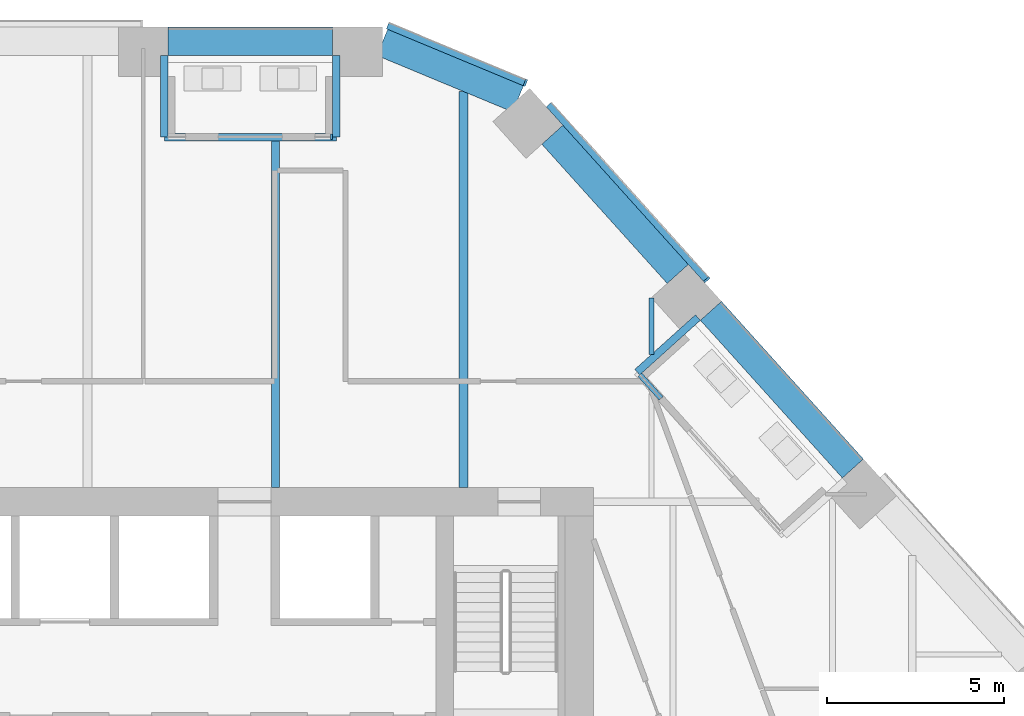
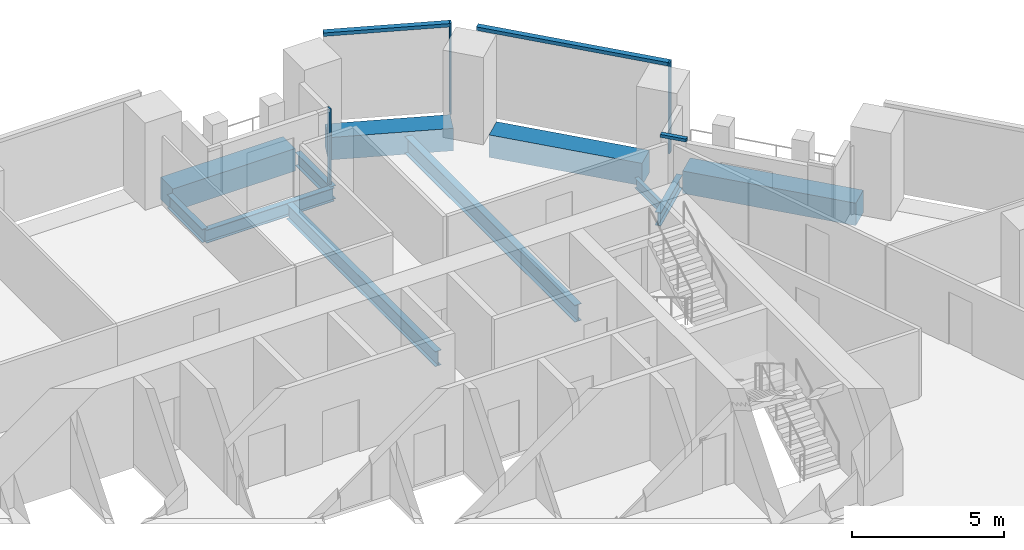
# One storey, part 10 of 24: 11 beams, 6 members, 4 elements without a shape of their own.
"""IFC4 building model written with IfcOpenShell, lengths in metres."""

from ifc_helpers import new_model, si_unit, direction, frame, origin, origin_2d, place, context, subcontext, project, spatial, rectangle, i_section, extrude, material, layer, layer_set, material_profile, profile_set, type_object, element, aggregate, save


model = new_model("IFC4")

# Units and contexts
model_context = context("Model", 3, precision=1e-05, world=origin(), true_north=direction((0.0, 1.0)))
body_context = subcontext(model_context, "Body", "Model", "MODEL_VIEW")
ifc_project = project(units=[si_unit("LENGTHUNIT", "METRE"), si_unit("AREAUNIT", "SQUARE_METRE"), si_unit("VOLUMEUNIT", "CUBIC_METRE"), si_unit("PLANEANGLEUNIT", "RADIAN"), si_unit("MASSUNIT", "GRAM", prefix="KILO")], contexts=[model_context])

# Site, building, storey
site_placement = place(None, origin())
site = spatial("IfcSite", under=ifc_project, at=site_placement, CompositionType="ELEMENT")
building_placement = place(site_placement, origin())
building = spatial("IfcBuilding", under=site, at=building_placement, Name="Isthmus Gate Tower", CompositionType="ELEMENT")
storey_placement = place(building_placement, frame((0.0, 0.0, 159.0)))
storey = spatial("IfcBuildingStorey", under=building, at=storey_placement, Name="L39", CompositionType="ELEMENT", Elevation=159.0)

# Curtain wall, member
ifc_material_1 = material(Name="Aluminium, pale champagne anodised", Category="aluminium")
ifc_layer_1 = layer(ifc_material_1, 0.199951171875)
ifc_layer_set_1 = layer_set([ifc_layer_1], Name="CW-1 UNITISED CURTAIN WALL 200 DEEP")
curtain_wall_type_1 = type_object("IfcCurtainWallType", Name="CW-1 UNITISED CURTAIN WALL 200 DEEP", PredefinedType="NOTDEFINED", material=ifc_layer_set_1)
curtain_wall_1_placement = place(storey_placement, origin())
curtain_wall_1 = element("IfcCurtainWall", 1, at=curtain_wall_1_placement, inside=storey, type_object=curtain_wall_type_1, Name="CW-1 NE L39", PredefinedType="NOTDEFINED")
ifc_material_2 = material(Name="Aluminium, pale champagne anodised", Category="aluminium")
ifc_material_profile_1 = material_profile(ifc_material_2, rectangle(XDim=0.06005859375, YDim=0.199951171875, at=origin_2d()), Name="60x200")
ifc_profile_set_1 = profile_set([ifc_material_profile_1], Name="Aluminium, pale champagne anodised")
member_type_1 = type_object("IfcMemberType", Name="CW-1 MULLION 60 X 200", PredefinedType="MULLION", material=ifc_profile_set_1)
member_1_placement = place(storey_placement, frame((18.201416015625, 20.865478515625, 0.0), z_axis=(0.0, 0.0, 1.0), x_axis=(-0.669130606359, 0.743144825477, 0.0)))
member_1 = element("IfcMember", 2, at=member_1_placement, type_object=member_type_1, Name="CW-1 mullion", PredefinedType="MULLION", context=body_context, shape_type="SweptSolid", body=[
    extrude(rectangle(XDim=0.06005859375, YDim=0.199951171875, at=origin_2d()), origin(), (0.0, 0.0, 1.0), 3.64990234375),
])

curtain_wall_2_placement = place(storey_placement, origin())
curtain_wall_2 = element("IfcCurtainWall", 3, at=curtain_wall_2_placement, inside=storey, type_object=curtain_wall_type_1, Name="CW-1 NE-N L39", PredefinedType="NOTDEFINED")
member_2_placement = place(storey_placement, frame((13.080810546875, 26.427490234375, 0.0), z_axis=(0.0, 0.0, 1.0), x_axis=(-0.923353128387, 0.383951820282, 0.0)))
member_2 = element("IfcMember", 4, at=member_2_placement, type_object=member_type_1, Name="CW-1 mullion", PredefinedType="MULLION", context=body_context, shape_type="SweptSolid", body=[
    extrude(rectangle(XDim=0.06005859375, YDim=0.199951171875, at=origin_2d()), origin(), (0.0, 0.0, 1.0), 3.64990234375),
])

# Member
ifc_material_3 = material(Name="Aluminium, pale champagne anodised", Category="aluminium")
ifc_material_profile_2 = material_profile(ifc_material_3, rectangle(XDim=0.199951171875, YDim=0.139892578125, at=origin_2d()), Name="200x140")
ifc_profile_set_2 = profile_set([ifc_material_profile_2], Name="Aluminium, pale champagne anodised")
member_type_2 = type_object("IfcMemberType", Name="CW-1 TRANSOM 200 X 140", PredefinedType="USERDEFINED", material=ifc_profile_set_2)
member_3_placement = place(storey_placement, frame((18.181396484375, 20.887939453125, 3.580078125), z_axis=(-0.66913355839, 0.743142167446, 0.0), x_axis=(-0.743142167446, -0.66913355839, 0.0)))
member_3 = element("IfcMember", 5, at=member_3_placement, type_object=member_type_2, Name="CW-1 transom", ObjectType="TRANSOM", PredefinedType="USERDEFINED", context=body_context, shape_type="SweptSolid", body=[
    extrude(rectangle(XDim=0.199951171875, YDim=0.139892578125, at=origin_2d()), origin(), (0.0, 0.0, 1.0), 6.630615234375),
])

aggregate(curtain_wall_1, [member_1, member_3])

member_4_placement = place(storey_placement, frame((13.05322265625, 26.43896484375, 3.580078125), z_axis=(-0.923358236369, 0.383939536033, 0.0), x_axis=(-0.383939536033, -0.923358236369, 0.0)))
member_4 = element("IfcMember", 6, at=member_4_placement, type_object=member_type_2, Name="CW-1 transom", ObjectType="TRANSOM", PredefinedType="USERDEFINED", context=body_context, shape_type="SweptSolid", body=[
    extrude(rectangle(XDim=0.199951171875, YDim=0.139892578125, at=origin_2d()), origin(), (0.0, 0.0, 1.0), 4.181640625),
])

aggregate(curtain_wall_2, [member_2, member_4])

# Curtain wall, member
ifc_material_4 = material(Name="Aluminium, pale champagne anodised", Category="aluminium")
ifc_layer_2 = layer(ifc_material_4, 0.14990234375)
ifc_layer_set_2 = layer_set([ifc_layer_2], Name="CW-6 LOGGIA BACK WALL GLAZING 150 DEEP")
curtain_wall_type_2 = type_object("IfcCurtainWallType", Name="CW-6 LOGGIA BACK WALL GLAZING 150 DEEP", PredefinedType="NOTDEFINED", material=ifc_layer_set_2)
curtain_wall_3_placement = place(storey_placement, origin())
curtain_wall_3 = element("IfcCurtainWall", 7, at=curtain_wall_3_placement, inside=storey, type_object=curtain_wall_type_2, Name="CW-6 N L39", PredefinedType="NOTDEFINED")
ifc_material_5 = material(Name="Aluminium, pale champagne anodised", Category="aluminium")
ifc_material_profile_3 = material_profile(ifc_material_5, rectangle(XDim=0.06005859375, YDim=0.14990234375, at=origin_2d()), Name="60x150")
ifc_profile_set_3 = profile_set([ifc_material_profile_3], Name="Aluminium, pale champagne anodised")
member_type_3 = type_object("IfcMemberType", Name="CW-6 MULLION 60 X 150", PredefinedType="MULLION", material=ifc_profile_set_3)
member_5_placement = place(storey_placement, frame((7.608642578125, 24.89990234375, 0.0), z_axis=(0.0, 0.0, 1.0), x_axis=(-1.0, 0.0, 0.0)))
member_5 = element("IfcMember", 8, at=member_5_placement, type_object=member_type_3, Name="CW-6 mullion", PredefinedType="MULLION", context=body_context, shape_type="SweptSolid", body=[
    extrude(rectangle(XDim=0.06005859375, YDim=0.14990234375, at=origin_2d()), origin(), (0.0, 0.0, 1.0), 3.050048828125),
])
aggregate(curtain_wall_3, [member_5])

curtain_wall_4_placement = place(storey_placement, origin())
curtain_wall_4 = element("IfcCurtainWall", 9, at=curtain_wall_4_placement, inside=storey, type_object=curtain_wall_type_2, Name="CW-6 NE L39", PredefinedType="NOTDEFINED")
ifc_material_6 = material(Name="Aluminium, pale champagne anodised", Category="aluminium")
ifc_material_profile_4 = material_profile(ifc_material_6, rectangle(XDim=0.14990234375, YDim=0.1201171875, at=origin_2d()), Name="150x120")
ifc_profile_set_4 = profile_set([ifc_material_profile_4], Name="Aluminium, pale champagne anodised")
member_type_4 = type_object("IfcMemberType", Name="CW-6 TRANSOM 150 X 120", PredefinedType="USERDEFINED", material=ifc_profile_set_4)
member_6_placement = place(storey_placement, frame((16.910888671875, 17.516357421875, 2.989990234375), z_axis=(-0.669055104111, 0.743212801062, 0.0), x_axis=(-0.743212801062, -0.669055104111, 0.0)))
member_6 = element("IfcMember", 10, at=member_6_placement, type_object=member_type_4, Name="CW-6 transom", ObjectType="TRANSOM", PredefinedType="USERDEFINED", context=body_context, shape_type="SweptSolid", body=[
    extrude(rectangle(XDim=0.14990234375, YDim=0.1201171875, at=origin_2d()), origin(), (0.0, 0.0, 1.0), 0.8955078125),
])
aggregate(curtain_wall_4, [member_6])

# Beams
ifc_material_7 = material(Name="Concrete f'c 60 MPa", Category="concrete")
ifc_material_profile_5 = material_profile(ifc_material_7, rectangle(XDim=0.800048828125, YDim=0.89990234375, at=origin_2d()), Name="RC 800X900")
ifc_profile_set_5 = profile_set([ifc_material_profile_5], Name="Concrete f'c 60 MPa")
beam_type_1 = type_object("IfcBeamType", Name="RC SPANDREL 800 X 900", PredefinedType="SPANDREL", material=ifc_profile_set_5)
beam_1_placement = place(storey_placement, frame((9.03857421875, 27.56689453125, -0.449951171875), z_axis=(0.923342835736, -0.383976571805, 0.0), x_axis=(0.383976571805, 0.923342835736, 0.0)))
element("IfcBeam", 11, at=beam_1_placement, inside=storey, type_object=beam_type_1, Name="str-spandrel-L39-00", PredefinedType="SPANDREL", context=body_context, shape_type="SweptSolid", body=[
    extrude(rectangle(XDim=0.800048828125, YDim=0.89990234375, at=origin_2d()), origin(), (0.0, 0.0, 1.0), 4.152587890625),
])
beam_2_placement = place(storey_placement, frame((13.84130859375, 24.960693359375, -0.449951171875), z_axis=(0.669153370522, -0.743124327901, 0.0), x_axis=(0.743124327901, 0.669153370522, 0.0)))
element("IfcBeam", 12, at=beam_2_placement, inside=storey, type_object=beam_type_1, Name="str-spandrel-L39-01", PredefinedType="SPANDREL", context=body_context, shape_type="SweptSolid", body=[
    extrude(rectangle(XDim=0.800048828125, YDim=0.89990234375, at=origin_2d()), origin(), (0.0, 0.0, 1.0), 5.290771484375),
])
beam_3_placement = place(storey_placement, frame((18.318359375, 19.988525390625, -0.449951171875), z_axis=(0.669133582923, -0.743142145356, 0.0), x_axis=(0.743142145356, 0.669133582923, 0.0)))
element("IfcBeam", 13, at=beam_3_placement, inside=storey, type_object=beam_type_1, Name="str-spandrel-L39-02", PredefinedType="SPANDREL", context=body_context, shape_type="SweptSolid", body=[
    extrude(rectangle(XDim=0.800048828125, YDim=0.89990234375, at=origin_2d()), origin(), (0.0, 0.0, 1.0), 5.99072265625),
])
beam_4_placement = place(storey_placement, frame((2.988525390625, 27.60009765625, -0.449951171875), z_axis=(1.0, 0.0, 0.0), x_axis=(0.0, 1.0, 0.0)))
element("IfcBeam", 14, at=beam_4_placement, inside=storey, type_object=beam_type_1, Name="str-spandrel-L39-29", PredefinedType="SPANDREL", context=body_context, shape_type="SweptSolid", body=[
    extrude(rectangle(XDim=0.800048828125, YDim=0.89990234375, at=origin_2d()), origin(), (0.0, 0.0, 1.0), 4.650146484375),
])
ifc_material_8 = material(Name="Structural steel ASTM A992 Gr 50", Category="steel")
ifc_material_profile_6 = material_profile(ifc_material_8, i_section(OverallWidth=0.1396484375, OverallDepth=0.4033203125, WebThickness=0.00634765625, FlangeThickness=0.010986328125, at=origin_2d()), Name="W16X31")
ifc_profile_set_6 = profile_set([ifc_material_profile_6], Name="Structural steel ASTM A992 Gr 50")
beam_type_2 = type_object("IfcBeamType", Name="STEEL FLOOR BEAM W16X31", PredefinedType="JOIST", material=ifc_profile_set_6)
beam_5_placement = place(storey_placement, frame((16.640869140625, 18.760009765625, -0.3515625), z_axis=(0.0, 1.0, 0.0), x_axis=(-1.0, 0.0, 0.0)))
element("IfcBeam", 15, at=beam_5_placement, inside=storey, type_object=beam_type_2, Name="str-beam-L39-07-08", PredefinedType="JOIST", context=body_context, shape_type="SweptSolid", body=[
    extrude(i_section(OverallWidth=0.1396484375, OverallDepth=0.4033203125, WebThickness=0.00634765625, FlangeThickness=0.010986328125, at=origin_2d()), origin(), (0.0, 0.0, 1.0), 1.596923828125),
])
ifc_material_9 = material(Name="Structural steel ASTM A992 Gr 50", Category="steel")
ifc_material_profile_7 = material_profile(ifc_material_9, i_section(OverallWidth=0.228515625, OverallDepth=0.603271484375, WebThickness=0.010986328125, FlangeThickness=0.014404296875, at=origin_2d()), Name="W24X68")
ifc_profile_set_7 = profile_set([ifc_material_profile_7], Name="Structural steel ASTM A992 Gr 50")
beam_type_3 = type_object("IfcBeamType", Name="STEEL FLOOR BEAM W24X68", PredefinedType="JOIST", material=ifc_profile_set_7)
beam_6_placement = place(storey_placement, frame((6.023193359375, 15.0, -0.45166015625), z_axis=(0.0, 1.0, 0.0), x_axis=(-1.0, 0.0, 0.0)))
element("IfcBeam", 16, at=beam_6_placement, inside=storey, type_object=beam_type_3, Name="str-beam-L39-07-05", PredefinedType="JOIST", context=body_context, shape_type="SweptSolid", body=[
    extrude(i_section(OverallWidth=0.228515625, OverallDepth=0.603271484375, WebThickness=0.010986328125, FlangeThickness=0.014404296875, at=origin_2d()), origin(), (0.0, 0.0, 1.0), 9.79052734375),
])
ifc_material_10 = material(Name="Structural steel ASTM A992 Gr 50", Category="steel")
ifc_material_profile_8 = material_profile(ifc_material_10, i_section(OverallWidth=0.25390625, OverallDepth=0.679443359375, WebThickness=0.010986328125, FlangeThickness=0.015869140625, at=origin_2d()), Name="W27X84")
ifc_profile_set_8 = profile_set([ifc_material_profile_8], Name="Structural steel ASTM A992 Gr 50")
beam_type_4 = type_object("IfcBeamType", Name="STEEL FLOOR BEAM W27X84", PredefinedType="JOIST", material=ifc_profile_set_8)
beam_7_placement = place(storey_placement, frame((11.33203125, 15.0, -0.48974609375), z_axis=(0.0, 1.0, 0.0), x_axis=(-1.0, 0.0, 0.0)))
element("IfcBeam", 17, at=beam_7_placement, inside=storey, type_object=beam_type_4, Name="str-beam-L39-07-06", PredefinedType="JOIST", context=body_context, shape_type="SweptSolid", body=[
    extrude(i_section(OverallWidth=0.25390625, OverallDepth=0.679443359375, WebThickness=0.010986328125, FlangeThickness=0.015869140625, at=origin_2d()), origin(), (0.0, 0.0, 1.0), 11.179931640625),
])
ifc_material_11 = material(Name="Structural steel ASTM A992 Gr 50", Category="steel")
ifc_material_profile_9 = material_profile(ifc_material_11, i_section(OverallWidth=0.20947265625, OverallDepth=0.533447265625, WebThickness=0.009521484375, FlangeThickness=0.015869140625, at=origin_2d()), Name="W21X62")
ifc_profile_set_9 = profile_set([ifc_material_profile_9], Name="Structural steel ASTM A992 Gr 50")
beam_type_5 = type_object("IfcBeamType", Name="STEEL TRIMMER W21X62", PredefinedType="BEAM", material=ifc_profile_set_9)
beam_8_placement = place(storey_placement, frame((7.743408203125, 24.895263671875, -0.416748046875), z_axis=(-1.0, 0.0, 0.0), x_axis=(0.0, -1.0, 0.0)))
element("IfcBeam", 18, at=beam_8_placement, inside=storey, type_object=beam_type_5, Name="str-loggiatrim-L39-01-B", PredefinedType="BEAM", context=body_context, shape_type="SweptSolid", body=[
    extrude(i_section(OverallWidth=0.20947265625, OverallDepth=0.533447265625, WebThickness=0.009521484375, FlangeThickness=0.015869140625, at=origin_2d()), origin(), (0.0, 0.0, 1.0), 4.859619140625),
])
for number, where, z_axis, x_axis, name in (
    (19, (7.743408203125, 27.199951171875, -0.416748046875), (0.0, -1.0, 0.0), (1.0, 0.0, 0.0), "str-loggiatrim-L39-01-A"),
    (20, (2.8837890625, 27.199951171875, -0.416748046875), (0.0, -1.0, 0.0), (1.0, 0.0, 0.0), "str-loggiatrim-L39-01-C"),
    (21, (17.950927734375, 19.798828125, -0.416748046875), (-0.743109762025, -0.669169546217, 0.0), (0.669169546217, -0.743109762025, 0.0), "str-loggiatrim-L39-05-C"),
):
    element("IfcBeam", number, at=place(storey_placement, frame(where, z_axis=z_axis, x_axis=x_axis)), inside=storey, type_object=beam_type_5, Name=name, PredefinedType="BEAM", context=body_context, shape_type="SweptSolid", body=[
        extrude(i_section(OverallWidth=0.20947265625, OverallDepth=0.533447265625, WebThickness=0.009521484375, FlangeThickness=0.015869140625, at=origin_2d()), origin(), (0.0, 0.0, 1.0), 2.3046875),
    ])

save(model, "model.ifc")
